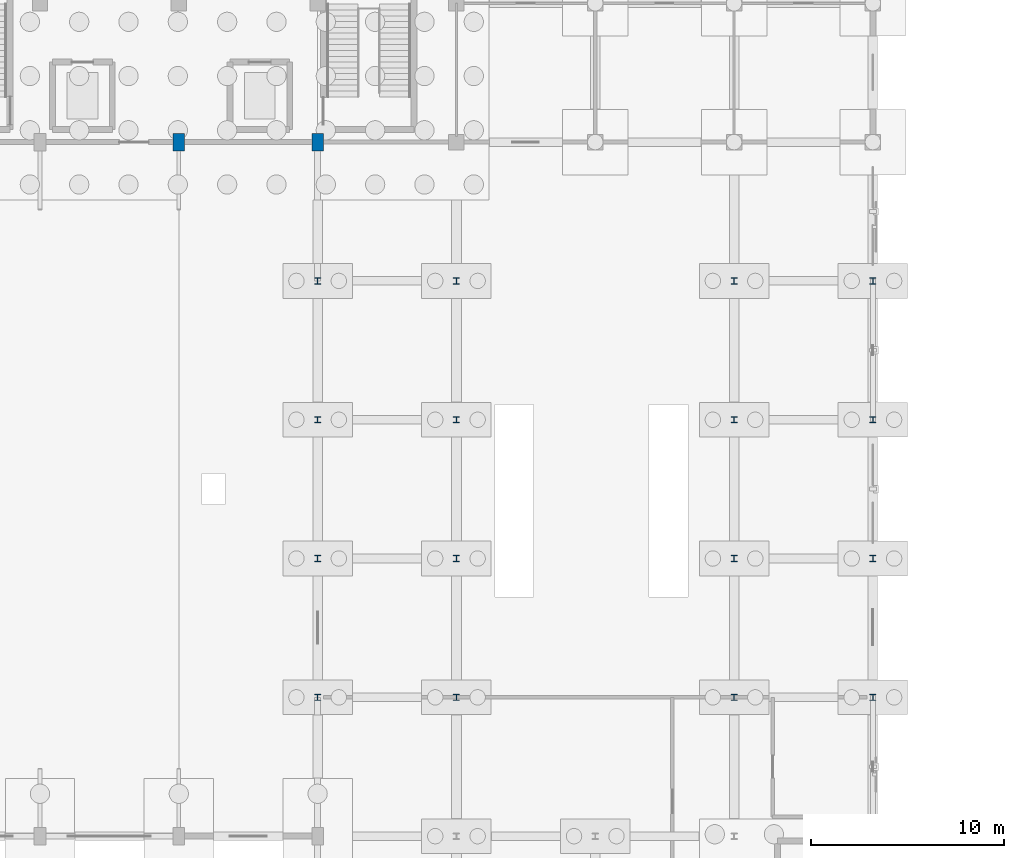
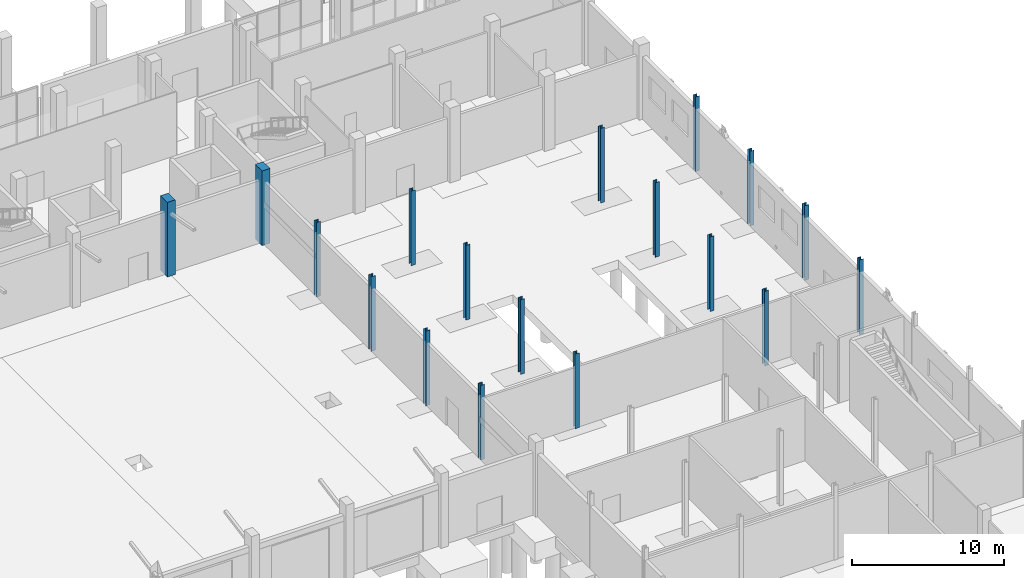
# One storey, part 13 of 45: 18 columns.
"""IFC4 building model written with IfcOpenShell, lengths in metres."""

import ifcopenshell
import ifcopenshell.guid

model = None  # the IFC model being written
_history = None  # IfcOwnerHistory: only IFC2X3 demands one
_inside = {}  # id of a spatial element -> (the spatial element, [elements in it])
_under = {}  # id of a project, library or spatial element -> (it, [spatial elements below it])
_declared = {}  # id of a project -> (the project, [libraries it declares])
_typed = {}  # id of a type object -> (the type object, [elements of that type])
_made_of = {}  # id of a material, layer set ... -> (it, [elements and type objects made of it])


def new_model(schema):
    """Start an empty IFC model of exactly this schema.

    Asked for "IFC4X3", IfcOpenShell would pick the latest addendum, in which some entities
    have other attributes; the version numbers below select the first issue.
    IFC2X3 requires an IfcOwnerHistory on every rooted entity: one is made here for all.
    """
    global model, _history
    if schema == "IFC4X3":
        model = ifcopenshell.file(schema_version=(4, 3, 0, 0))
    else:
        model = ifcopenshell.file(schema=schema)
    _inside.clear()
    _under.clear()
    _declared.clear()
    _typed.clear()
    _made_of.clear()
    _history = None
    if model.schema == "IFC2X3":
        org = make("IfcOrganization", Name="unknown")
        user = make(
            "IfcPersonAndOrganization",
            ThePerson=make("IfcPerson", FamilyName="unknown"),
            TheOrganization=org,
        )
        app = make(
            "IfcApplication",
            ApplicationDeveloper=org,
            Version="unknown",
            ApplicationFullName="unknown",
            ApplicationIdentifier="unknown",
        )
        _history = make(
            "IfcOwnerHistory",
            OwningUser=user,
            OwningApplication=app,
            ChangeAction="ADDED",
            CreationDate=0,
        )
    return model


def make(cls, **values):
    """One entity of the class cls with the attributes given. An attribute that is None is left unset."""
    return model.create_entity(
        cls, **{name: value for name, value in values.items() if value is not None}
    )


def rooted(cls, **values):
    """An entity with a GlobalId (a new one), such as an element, a storey or a relation."""
    return make(cls, GlobalId=ifcopenshell.guid.new(), OwnerHistory=_history, **values)


def si_unit(unit_type, name, prefix=None):
    """IfcSIUnit, for example si_unit("LENGTHUNIT", "METRE", prefix="MILLI")."""
    return make("IfcSIUnit", UnitType=unit_type, Prefix=prefix, Name=name)


def assignment(units):
    """IfcUnitAssignment: the units of a project."""
    return None if units is None else make("IfcUnitAssignment", Units=units)


def point(xyz):
    """IfcCartesianPoint."""
    return None if xyz is None else make("IfcCartesianPoint", Coordinates=xyz)


def direction(xyz):
    """IfcDirection."""
    return None if xyz is None else make("IfcDirection", DirectionRatios=xyz)


def frame(location, z_axis=None, x_axis=None):
    """IfcAxis2Placement3D, a coordinate frame: its origin and axes. An axis left out is left unset."""
    return make(
        "IfcAxis2Placement3D",
        Location=point(location),
        Axis=direction(z_axis),
        RefDirection=direction(x_axis),
    )


def frame_2d(location, x_axis=None):
    """IfcAxis2Placement2D, a coordinate frame in the plane: its origin and x axis."""
    return make(
        "IfcAxis2Placement2D", Location=point(location), RefDirection=direction(x_axis)
    )


def origin():
    """The frame at (0, 0, 0) with its axes left unset."""
    return frame((0.0, 0.0, 0.0))


def origin_2d():
    """The frame at (0, 0) in the plane with its x axis left unset."""
    return frame_2d((0.0, 0.0))


def place(relative_to, where):
    """IfcLocalPlacement: puts the frame where relative to a parent placement (None: the world)."""
    return make(
        "IfcLocalPlacement", PlacementRelTo=relative_to, RelativePlacement=where
    )


def context(
    kind, dimensions, precision=None, world=None, true_north=None, identifier=None
):
    """IfcGeometricRepresentationContext, for example the 3D "Model" context."""
    return make(
        "IfcGeometricRepresentationContext",
        ContextIdentifier=identifier,
        ContextType=kind,
        CoordinateSpaceDimension=dimensions,
        Precision=precision,
        WorldCoordinateSystem=world,
        TrueNorth=true_north,
    )


def subcontext(parent, identifier, kind, view, scale=None):
    """IfcGeometricRepresentationSubContext, for example "Body" below "Model"."""
    return make(
        "IfcGeometricRepresentationSubContext",
        ContextIdentifier=identifier,
        ContextType=kind,
        ParentContext=parent,
        TargetScale=scale,
        TargetView=view,
    )


def project(units=None, contexts=None):
    """IfcProject with its units and contexts."""
    return rooted(
        "IfcProject",
        Name="project",
        RepresentationContexts=contexts,
        UnitsInContext=assignment(units),
    )


def spatial(cls, under=None, at=None, **own):
    """A site, building, storey or space (cls), placed at a placement, below another one or the project."""
    s = rooted(cls, ObjectPlacement=at, **own)
    if under is not None:
        _under.setdefault(under.id(), (under, []))[1].append(s)
    return s


def profile(cls, at=None, kind="AREA", **sizes):
    """A parametric profile (cls). Its sizes go by their IFC names, for example OverallWidth=200.0."""
    return make(cls, ProfileType=kind, Position=at, **sizes)


def rectangle(**sizes):
    """IfcRectangleProfileDef."""
    return profile("IfcRectangleProfileDef", **sizes)


def i_section(**sizes):
    """IfcIShapeProfileDef."""
    return profile("IfcIShapeProfileDef", **sizes)


def extrude(swept, where, along, depth):
    """IfcExtrudedAreaSolid: the profile swept, set in the frame where, extruded along a direction by depth."""
    return make(
        "IfcExtrudedAreaSolid",
        SweptArea=swept,
        Position=where,
        ExtrudedDirection=direction(along),
        Depth=depth,
    )


def shape(context_of_items, identifier, shape_type, items):
    """IfcShapeRepresentation: the items that make up one representation, for example the "Body"."""
    return make(
        "IfcShapeRepresentation",
        ContextOfItems=context_of_items,
        RepresentationIdentifier=identifier,
        RepresentationType=shape_type,
        Items=items,
    )


def material(Name=None, Category=None):
    """IfcMaterial."""
    return make("IfcMaterial", Name=Name, Category=Category)


def material_profile(
    of_material, cross_section, Name=None, Category=None, Priority=None
):
    """IfcMaterialProfile: a cross section and its material."""
    return make(
        "IfcMaterialProfile",
        Name=Name,
        Material=of_material,
        Profile=cross_section,
        Priority=Priority,
        Category=Category,
    )


def profile_set(profiles, Name=None, composite=None):
    """IfcMaterialProfileSet."""
    return make(
        "IfcMaterialProfileSet",
        Name=Name,
        MaterialProfiles=profiles,
        CompositeProfile=composite,
    )


def made_of(thing, what):
    """Note that an element or type object is made of a material, layer set ...; save() writes the relation."""
    if what is not None:
        _made_of.setdefault(what.id(), (what, []))[1].append(thing)
    return thing


def type_object(cls, material=None, **own):
    """A type object (cls), such as IfcWallType, which elements share."""
    return made_of(rooted(cls, **own), material)


def element(
    cls,
    number,
    at=None,
    inside=None,
    cuts=None,
    type_object=None,
    material=None,
    context=None,
    identifier="Body",
    shape_type=None,
    held_by="IfcProductDefinitionShape",
    body=None,
    shapes=None,
    **own,
):
    """One element of the class cls, such as IfcWall. Its Tag is "e" and its number.

    at: its placement. inside: the storey or other place that contains it. cuts: it is an
    opening in that element (IfcRelVoidsElement). A single representation is given by context,
    identifier, shape_type and body (its items); several are given by shapes. held_by: the class
    of the entity that holds the representations. save() writes the other relations.
    """
    e = rooted(cls, Tag="e%d" % number, ObjectPlacement=at, **own)
    if body is not None:
        shapes = [shape(context, identifier, shape_type, body)]
    if shapes is not None:
        e.Representation = make(held_by, Representations=shapes)
    if inside is not None:
        _inside.setdefault(inside.id(), (inside, []))[1].append(e)
    if cuts is not None:
        rooted(
            "IfcRelVoidsElement", RelatingBuildingElement=cuts, RelatedOpeningElement=e
        )
    if type_object is not None:
        _typed.setdefault(type_object.id(), (type_object, []))[1].append(e)
    return made_of(e, material)


def aggregate(whole, parts):
    """IfcRelAggregates: a whole, such as a stair, and the parts it consists of."""
    return rooted("IfcRelAggregates", RelatingObject=whole, RelatedObjects=parts)


def save(model, path):
    """Write the relations noted so far, then the file.

    IfcRelAggregates (storeys below a building ...), IfcRelContainedInSpatialStructure (elements
    in a storey), IfcRelDefinesByType, IfcRelAssociatesMaterial and IfcRelDeclares: one each for
    every whole, place, type object, material and project.
    """
    for whole, parts in _under.values():
        aggregate(whole, parts)
    for where, things in _inside.values():
        rooted(
            "IfcRelContainedInSpatialStructure",
            RelatedElements=things,
            RelatingStructure=where,
        )
    for kind, things in _typed.values():
        rooted("IfcRelDefinesByType", RelatedObjects=things, RelatingType=kind)
    for what, things in _made_of.values():
        rooted("IfcRelAssociatesMaterial", RelatedObjects=things, RelatingMaterial=what)
    for by, libraries in _declared.values():
        rooted("IfcRelDeclares", RelatingContext=by, RelatedDefinitions=libraries)
    model.write(path)


model = new_model("IFC4")

# Units and contexts
model_context = context("Model", 3, precision=1e-05, world=origin(), true_north=direction((0.0, 1.0)))
body_context = subcontext(model_context, "Body", "Model", "MODEL_VIEW")
ifc_project = project(units=[si_unit("LENGTHUNIT", "METRE"), si_unit("AREAUNIT", "SQUARE_METRE"), si_unit("VOLUMEUNIT", "CUBIC_METRE"), si_unit("PLANEANGLEUNIT", "RADIAN"), si_unit("MASSUNIT", "GRAM", prefix="KILO")], contexts=[model_context])

# Site, building, storey
site_placement = place(None, origin())
site = spatial("IfcSite", under=ifc_project, at=site_placement, CompositionType="ELEMENT")
building_placement = place(site_placement, origin())
building = spatial("IfcBuilding", under=site, at=building_placement, Name="Yarey Park Central Fire Station", CompositionType="ELEMENT")
storey_placement = place(building_placement, origin())
storey = spatial("IfcBuildingStorey", under=building, at=storey_placement, Name="L01", CompositionType="ELEMENT", Elevation=0.0)

# Columns
ifc_material_1 = material(Name="Steel ASTM A992 Gr. 50", Category="steel")
ifc_material_profile_1 = material_profile(ifc_material_1, i_section(OverallWidth=0.30908203125, OverallDepth=0.322998046875, WebThickness=0.013916015625, FlangeThickness=0.02294921875, at=origin_2d()), Name="W310x143")
ifc_profile_set_1 = profile_set([ifc_material_profile_1], Name="Steel ASTM A992 Gr. 50")
column_type_1 = type_object("IfcColumnType", Name="STR_COL_W310_EXT", PredefinedType="COLUMN", material=ifc_profile_set_1)
for number, where, z_axis, x_axis, name in (
    (1, (136.800048828125, 64.800048828125, 0.0), (0.0, 0.0, 1.0), (1.0, 0.0, 0.0), "COL_L01_X1368_Y648"),
    (2, (136.800048828125, 72.0, 0.0), (0.0, 0.0, 1.0), (1.0, 0.0, 0.0), "COL_L01_X1368_Y720"),
    (3, (136.800048828125, 79.199951171875, 0.0), (0.0, 0.0, 1.0), (1.0, 0.0, 0.0), "COL_L01_X1368_Y792"),
    (4, (136.800048828125, 86.39990234375, 0.0), (0.0, 0.0, 1.0), (1.0, 0.0, 0.0), "COL_L01_X1368_Y864"),
    (5, (165.60009765625, 64.800048828125, 0.0), (0.0, 0.0, 1.0), (1.0, 0.0, 0.0), "COL_L01_X1656_Y648"),
    (6, (165.60009765625, 72.0, 0.0), (0.0, 0.0, 1.0), (1.0, 0.0, 0.0), "COL_L01_X1656_Y720"),
    (7, (165.60009765625, 79.199951171875, 0.0), (0.0, 0.0, 1.0), (1.0, 0.0, 0.0), "COL_L01_X1656_Y792"),
    (8, (165.60009765625, 86.39990234375, 0.0), (0.0, 0.0, 1.0), (1.0, 0.0, 0.0), "COL_L01_X1656_Y864"),
):
    element("IfcColumn", number, at=place(storey_placement, frame(where, z_axis=z_axis, x_axis=x_axis)), inside=storey, type_object=column_type_1, Name=name, PredefinedType="COLUMN", context=body_context, shape_type="SweptSolid", body=[
        extrude(i_section(OverallWidth=0.30908203125, OverallDepth=0.322998046875, WebThickness=0.013916015625, FlangeThickness=0.02294921875, at=origin_2d()), origin(), (0.0, 0.0, 1.0), 6.0),
    ])
ifc_material_profile_2 = material_profile(ifc_material_1, i_section(OverallWidth=0.30908203125, OverallDepth=0.322998046875, WebThickness=0.013916015625, FlangeThickness=0.02294921875, at=origin_2d()), Name="W310x143")
ifc_profile_set_2 = profile_set([ifc_material_profile_2], Name="Steel ASTM A992 Gr. 50")
column_type_2 = type_object("IfcColumnType", Name="STR_COL_W310_INT", PredefinedType="COLUMN", material=ifc_profile_set_2)
for number, where, z_axis, x_axis, name in (
    (9, (144.0, 64.800048828125, 0.0), (0.0, 0.0, 1.0), (1.0, 0.0, 0.0), "COL_L01_X1440_Y648"),
    (10, (144.0, 72.0, 0.0), (0.0, 0.0, 1.0), (1.0, 0.0, 0.0), "COL_L01_X1440_Y720"),
    (11, (144.0, 79.199951171875, 0.0), (0.0, 0.0, 1.0), (1.0, 0.0, 0.0), "COL_L01_X1440_Y792"),
    (12, (144.0, 86.39990234375, 0.0), (0.0, 0.0, 1.0), (1.0, 0.0, 0.0), "COL_L01_X1440_Y864"),
    (13, (158.39990234375, 64.800048828125, 0.0), (0.0, 0.0, 1.0), (1.0, 0.0, 0.0), "COL_L01_X1584_Y648"),
    (14, (158.39990234375, 72.0, 0.0), (0.0, 0.0, 1.0), (1.0, 0.0, 0.0), "COL_L01_X1584_Y720"),
    (15, (158.39990234375, 79.199951171875, 0.0), (0.0, 0.0, 1.0), (1.0, 0.0, 0.0), "COL_L01_X1584_Y792"),
    (16, (158.39990234375, 86.39990234375, 0.0), (0.0, 0.0, 1.0), (1.0, 0.0, 0.0), "COL_L01_X1584_Y864"),
):
    element("IfcColumn", number, at=place(storey_placement, frame(where, z_axis=z_axis, x_axis=x_axis)), inside=storey, type_object=column_type_2, Name=name, PredefinedType="COLUMN", context=body_context, shape_type="SweptSolid", body=[
        extrude(i_section(OverallWidth=0.30908203125, OverallDepth=0.322998046875, WebThickness=0.013916015625, FlangeThickness=0.02294921875, at=origin_2d()), origin(), (0.0, 0.0, 1.0), 6.0),
    ])
ifc_material_2 = material(Name="Concrete C40/50", Category="concrete")
ifc_material_profile_3 = material_profile(ifc_material_2, rectangle(XDim=0.60009765625, YDim=0.89990234375, at=origin_2d()), Name="RC 900x600")
ifc_profile_set_3 = profile_set([ifc_material_profile_3], Name="Concrete C40/50")
column_type_3 = type_object("IfcColumnType", Name="STR_PIER_ARCH", PredefinedType="PILASTER", material=ifc_profile_set_3)
for number, where, z_axis, x_axis, name in (
    (17, (129.60009765625, 93.60009765625, 0.0), (0.0, 0.0, 1.0), (1.0, 0.0, 0.0), "COL_L01_X1296_Y936"),
    (18, (136.800048828125, 93.60009765625, 0.0), (0.0, 0.0, 1.0), (1.0, 0.0, 0.0), "COL_L01_X1368_Y936"),
):
    element("IfcColumn", number, at=place(storey_placement, frame(where, z_axis=z_axis, x_axis=x_axis)), inside=storey, type_object=column_type_3, Name=name, PredefinedType="PILASTER", context=body_context, shape_type="SweptSolid", body=[
        extrude(rectangle(XDim=0.60009765625, YDim=0.89990234375, at=origin_2d()), origin(), (0.0, 0.0, 1.0), 6.0),
    ])

save(model, "model.ifc")
